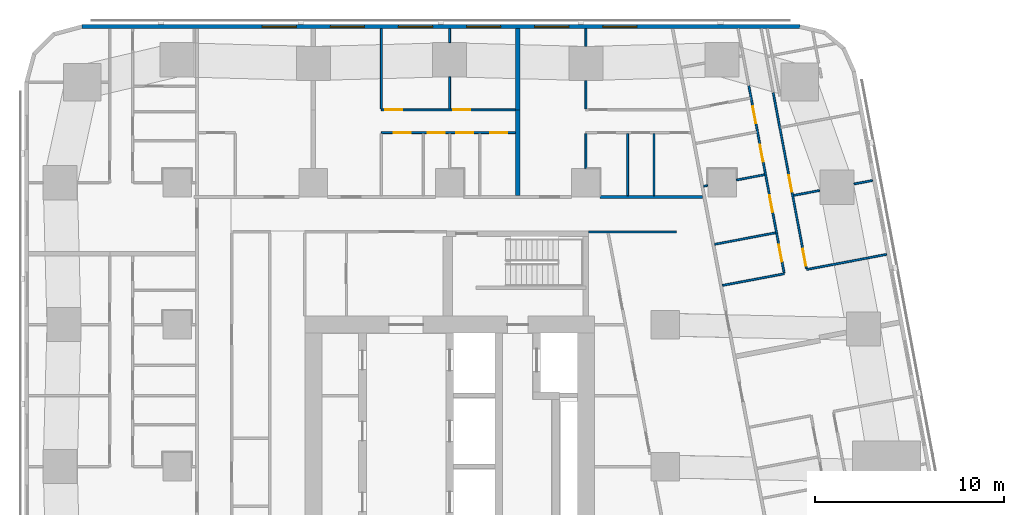
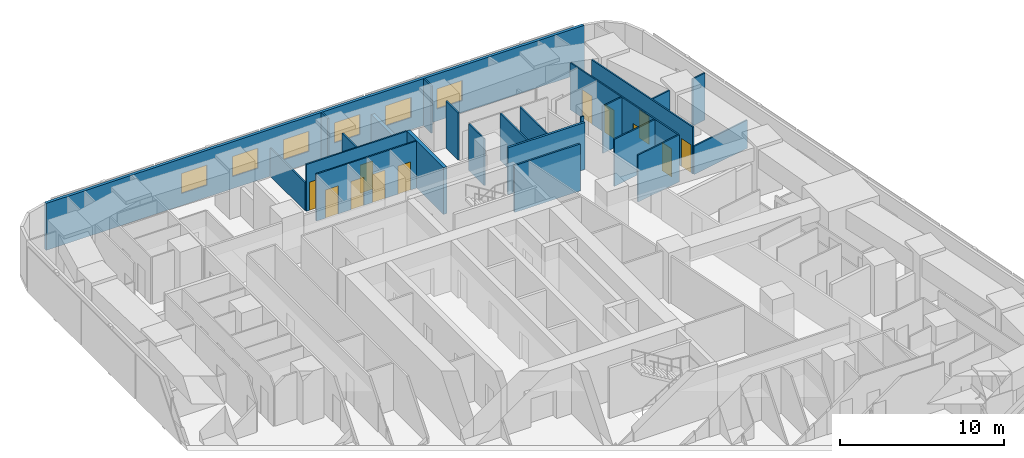
# One storey, part 10 of 15: 24 walls, 12 doors, 6 windows, 18 openings.
"""IFC4 building model written with IfcOpenShell, lengths in metres."""

from ifc_helpers import new_model, si_unit, direction, frame, frame_2d, origin, place, context, subcontext, project, spatial, rectangle, extrude, material, layer, layer_set, type_object, element, fill, save


model = new_model("IFC4")

# Units and contexts
model_context = context("Model", 3, precision=1e-05, world=origin(), true_north=direction((0.0, 1.0)))
body_context = subcontext(model_context, "Body", "Model", "MODEL_VIEW")
ifc_project = project(units=[si_unit("LENGTHUNIT", "METRE"), si_unit("AREAUNIT", "SQUARE_METRE"), si_unit("VOLUMEUNIT", "CUBIC_METRE"), si_unit("PLANEANGLEUNIT", "RADIAN"), si_unit("MASSUNIT", "GRAM", prefix="KILO")], contexts=[model_context])

# Site, building, storey
site_placement = place(None, origin())
site = spatial("IfcSite", under=ifc_project, at=site_placement, CompositionType="ELEMENT")
building_placement = place(site_placement, origin())
building = spatial("IfcBuilding", under=site, at=building_placement, Name="Sheger Commons Tower", CompositionType="ELEMENT")
storey_placement = place(building_placement, frame((0.0, 0.0, 154.550048828125)))
storey = spatial("IfcBuildingStorey", under=building, at=storey_placement, Name="L39", CompositionType="ELEMENT", Elevation=154.550048828125)

# Walls
ifc_material_1 = material(Name="Hollow concrete block masonry, skimmed both sides", Category="masonry")
ifc_layer_1 = layer(ifc_material_1, 0.14990234375)
ifc_layer_set_1 = layer_set([ifc_layer_1], Name="CORRIDOR WALL 150")
wall_type_1 = type_object("IfcWallType", Name="CORRIDOR WALL 150", PredefinedType="SOLIDWALL", material=ifc_layer_set_1)
wall_1_placement = place(storey_placement, frame((29.551025390625, 36.75, 0.0), z_axis=(0.0, 0.0, 1.0), x_axis=(1.0, 0.0, 0.0)))
element("IfcWall", 1, at=wall_1_placement, inside=storey, type_object=wall_type_1, Name="Corridor wall L39", PredefinedType="SOLIDWALL", context=body_context, shape_type="SweptSolid", body=[
    extrude(rectangle(XDim=5.421875, YDim=0.14990234375, at=frame_2d((2.7109375, 0.0))), origin(), (0.0, 0.0, 1.0), 3.5),
])
ifc_material_2 = material(Name="Dense concrete block masonry, plastered both sides (separating wall between flats)", Category="masonry")
ifc_layer_2 = layer(ifc_material_2, 0.25)
ifc_layer_set_2 = layer_set([ifc_layer_2], Name="DEMISING WALL 250")
wall_type_2 = type_object("IfcWallType", Name="DEMISING WALL 250", PredefinedType="SOLIDWALL", material=ifc_layer_set_2)
wall_2_placement = place(storey_placement, frame((25.199951171875, 41.35009765625, 0.0), z_axis=(0.0, 0.0, 1.0), x_axis=(0.0, 1.0, 0.0)))
element("IfcWall", 2, at=wall_2_placement, inside=storey, type_object=wall_type_2, Name="Demising wall L39", PredefinedType="SOLIDWALL", context=body_context, shape_type="SweptSolid", body=[
    extrude(rectangle(XDim=4.2998046875, YDim=0.25, at=frame_2d((2.14990234375, 0.0))), origin(), (0.0, 0.0, 1.0), 2.099853515625),
])
wall_3_placement = place(storey_placement, frame((25.199951171875, 36.824951171875, 0.0), z_axis=(0.0, 0.0, 1.0), x_axis=(0.0, 1.0, 0.0)))
element("IfcWall", 3, at=wall_3_placement, inside=storey, type_object=wall_type_2, Name="Demising wall L39", PredefinedType="SOLIDWALL", context=body_context, shape_type="SweptSolid", body=[
    extrude(rectangle(XDim=4.525146484375, YDim=0.25, at=frame_2d((2.2626953125, 0.0))), origin(), (0.0, 0.0, 1.0), 3.5),
])

# Wall, openings, windows
ifc_material_3 = material(Name="Rendered concrete block masonry, dark grey", Category="masonry")
ifc_layer_3 = layer(ifc_material_3, 0.199951171875)
ifc_layer_set_3 = layer_set([ifc_layer_3], Name="FACADE WALL 200")
wall_type_3 = type_object("IfcWallType", Name="FACADE WALL 200", PredefinedType="SOLIDWALL", material=ifc_layer_set_3)
wall_4_placement = place(storey_placement, frame((40.10595703125, 45.75, 0.0), z_axis=(0.0, 0.0, 1.0), x_axis=(-1.0, 0.0, 0.0)))
wall_4 = element("IfcWall", 4, at=wall_4_placement, inside=storey, type_object=wall_type_3, Name="Facade wall L39", PredefinedType="SOLIDWALL", context=body_context, shape_type="SweptSolid", body=[
    extrude(rectangle(XDim=37.94287109375, YDim=0.199951171875, at=frame_2d((18.971435546875, 0.0))), origin(), (0.0, 0.0, 1.0), 3.5),
])
opening_1_placement = place(wall_4_placement, frame((8.60595703125, 0.0, 0.89990234375)))
opening_1 = element("IfcOpeningElement", 5, at=opening_1_placement, cuts=wall_4, Name="Opening W2", PredefinedType="OPENING", context=body_context, shape_type="SweptSolid", body=[
    extrude(rectangle(XDim=1.800048828125, YDim=1.5, at=frame_2d((0.89990234375, 0.75))), frame((0.0, 0.10986328125, 0.0), z_axis=(0.0, -1.0, 0.0), x_axis=(1.0, 0.0, 0.0)), (0.0, 0.0, 1.0), 0.219970703125),
])
opening_2_placement = place(wall_4_placement, frame((12.2060546875, 0.0, 0.89990234375)))
opening_2 = element("IfcOpeningElement", 6, at=opening_2_placement, cuts=wall_4, Name="Opening W2", PredefinedType="OPENING", context=body_context, shape_type="SweptSolid", body=[
    extrude(rectangle(XDim=1.800048828125, YDim=1.5, at=frame_2d((0.89990234375, 0.75))), frame((0.0, 0.10986328125, 0.0), z_axis=(0.0, -1.0, 0.0), x_axis=(1.0, 0.0, 0.0)), (0.0, 0.0, 1.0), 0.219970703125),
])
opening_3_placement = place(wall_4_placement, frame((15.805908203125, 0.0, 0.89990234375)))
opening_3 = element("IfcOpeningElement", 7, at=opening_3_placement, cuts=wall_4, Name="Opening W2", PredefinedType="OPENING", context=body_context, shape_type="SweptSolid", body=[
    extrude(rectangle(XDim=1.800048828125, YDim=1.5, at=frame_2d((0.89990234375, 0.75))), frame((0.0, 0.10986328125, 0.0), z_axis=(0.0, -1.0, 0.0), x_axis=(1.0, 0.0, 0.0)), (0.0, 0.0, 1.0), 0.219970703125),
])
opening_4_placement = place(wall_4_placement, frame((19.406005859375, 0.0, 0.89990234375)))
opening_4 = element("IfcOpeningElement", 8, at=opening_4_placement, cuts=wall_4, Name="Opening W2", PredefinedType="OPENING", context=body_context, shape_type="SweptSolid", body=[
    extrude(rectangle(XDim=1.800048828125, YDim=1.5, at=frame_2d((0.89990234375, 0.75))), frame((0.0, 0.10986328125, 0.0), z_axis=(0.0, -1.0, 0.0), x_axis=(1.0, 0.0, 0.0)), (0.0, 0.0, 1.0), 0.219970703125),
])
opening_5_placement = place(wall_4_placement, frame((23.006103515625, 0.0, 0.89990234375)))
opening_5 = element("IfcOpeningElement", 9, at=opening_5_placement, cuts=wall_4, Name="Opening W2", PredefinedType="OPENING", context=body_context, shape_type="SweptSolid", body=[
    extrude(rectangle(XDim=1.800048828125, YDim=1.5, at=frame_2d((0.89990234375, 0.75))), frame((0.0, 0.10986328125, 0.0), z_axis=(0.0, -1.0, 0.0), x_axis=(1.0, 0.0, 0.0)), (0.0, 0.0, 1.0), 0.219970703125),
])
opening_6_placement = place(wall_4_placement, frame((26.60595703125, 0.0, 0.89990234375)))
opening_6 = element("IfcOpeningElement", 10, at=opening_6_placement, cuts=wall_4, Name="Opening W2", PredefinedType="OPENING", context=body_context, shape_type="SweptSolid", body=[
    extrude(rectangle(XDim=1.800048828125, YDim=1.5, at=frame_2d((0.89990234375, 0.75))), frame((0.0, 0.10986328125, 0.0), z_axis=(0.0, -1.0, 0.0), x_axis=(1.0, 0.0, 0.0)), (0.0, 0.0, 1.0), 0.219970703125),
])
ifc_material_4 = material(Name="Black aluminium frame, dark tinted double glazing", Category="aluminium")
window_type = type_object("IfcWindowType", Name="WINDOW W2 1800x1500", PartitioningType="SINGLE_PANEL", PredefinedType="WINDOW", material=ifc_material_4)
window_1_placement = place(opening_1_placement, origin())
window_1 = element("IfcWindow", 11, at=window_1_placement, inside=storey, type_object=window_type, Name="Window W2 1800X1500", OverallHeight=1.5, OverallWidth=1.800048828125, PartitioningType="SINGLE_PANEL", PredefinedType="WINDOW", context=body_context, shape_type="SweptSolid", body=[
    extrude(rectangle(XDim=1.800048828125, YDim=1.5, at=frame_2d((0.89990234375, 0.75))), frame((0.0, 0.030029296875, 0.0), z_axis=(0.0, -1.0, 0.0), x_axis=(1.0, 0.0, 0.0)), (0.0, 0.0, 1.0), 0.06005859375),
])
fill(opening_1, window_1)
window_2_placement = place(opening_2_placement, origin())
window_2 = element("IfcWindow", 12, at=window_2_placement, inside=storey, type_object=window_type, Name="Window W2 1800X1500", OverallHeight=1.5, OverallWidth=1.800048828125, PartitioningType="SINGLE_PANEL", PredefinedType="WINDOW", context=body_context, shape_type="SweptSolid", body=[
    extrude(rectangle(XDim=1.800048828125, YDim=1.5, at=frame_2d((0.89990234375, 0.75))), frame((0.0, 0.030029296875, 0.0), z_axis=(0.0, -1.0, 0.0), x_axis=(1.0, 0.0, 0.0)), (0.0, 0.0, 1.0), 0.06005859375),
])
fill(opening_2, window_2)
window_3_placement = place(opening_3_placement, origin())
window_3 = element("IfcWindow", 13, at=window_3_placement, inside=storey, type_object=window_type, Name="Window W2 1800X1500", OverallHeight=1.5, OverallWidth=1.800048828125, PartitioningType="SINGLE_PANEL", PredefinedType="WINDOW", context=body_context, shape_type="SweptSolid", body=[
    extrude(rectangle(XDim=1.800048828125, YDim=1.5, at=frame_2d((0.89990234375, 0.75))), frame((0.0, 0.030029296875, 0.0), z_axis=(0.0, -1.0, 0.0), x_axis=(1.0, 0.0, 0.0)), (0.0, 0.0, 1.0), 0.06005859375),
])
fill(opening_3, window_3)
window_4_placement = place(opening_4_placement, origin())
window_4 = element("IfcWindow", 14, at=window_4_placement, inside=storey, type_object=window_type, Name="Window W2 1800X1500", OverallHeight=1.5, OverallWidth=1.800048828125, PartitioningType="SINGLE_PANEL", PredefinedType="WINDOW", context=body_context, shape_type="SweptSolid", body=[
    extrude(rectangle(XDim=1.800048828125, YDim=1.5, at=frame_2d((0.89990234375, 0.75))), frame((0.0, 0.030029296875, 0.0), z_axis=(0.0, -1.0, 0.0), x_axis=(1.0, 0.0, 0.0)), (0.0, 0.0, 1.0), 0.06005859375),
])
fill(opening_4, window_4)
window_5_placement = place(opening_5_placement, origin())
window_5 = element("IfcWindow", 15, at=window_5_placement, inside=storey, type_object=window_type, Name="Window W2 1800X1500", OverallHeight=1.5, OverallWidth=1.800048828125, PartitioningType="SINGLE_PANEL", PredefinedType="WINDOW", context=body_context, shape_type="SweptSolid", body=[
    extrude(rectangle(XDim=1.800048828125, YDim=1.5, at=frame_2d((0.89990234375, 0.75))), frame((0.0, 0.030029296875, 0.0), z_axis=(0.0, -1.0, 0.0), x_axis=(1.0, 0.0, 0.0)), (0.0, 0.0, 1.0), 0.06005859375),
])
fill(opening_5, window_5)
window_6_placement = place(opening_6_placement, origin())
window_6 = element("IfcWindow", 16, at=window_6_placement, inside=storey, type_object=window_type, Name="Window W2 1800X1500", OverallHeight=1.5, OverallWidth=1.800048828125, PartitioningType="SINGLE_PANEL", PredefinedType="WINDOW", context=body_context, shape_type="SweptSolid", body=[
    extrude(rectangle(XDim=1.800048828125, YDim=1.5, at=frame_2d((0.89990234375, 0.75))), frame((0.0, 0.030029296875, 0.0), z_axis=(0.0, -1.0, 0.0), x_axis=(1.0, 0.0, 0.0)), (0.0, 0.0, 1.0), 0.06005859375),
])
fill(opening_6, window_6)

# Wall, openings, doors
ifc_material_5 = material(Name="Gypsum board on steel studs", Category="steel")
ifc_layer_4 = layer(ifc_material_5, 0.10009765625)
ifc_layer_set_4 = layer_set([ifc_layer_4], Name="PARTITION 100")
wall_type_4 = type_object("IfcWallType", Name="PARTITION 100", PredefinedType="PARTITIONING", material=ifc_layer_set_4)
wall_5_placement = place(storey_placement, frame((38.700927734375, 42.27001953125, 0.0), z_axis=(0.0, 0.0, 1.0), x_axis=(0.185634707842, -0.982618825, 0.0)))
wall_5 = element("IfcWall", 17, at=wall_5_placement, inside=storey, type_object=wall_type_4, Name="Partition L39", PredefinedType="PARTITIONING", context=body_context, shape_type="SweptSolid", body=[
    extrude(rectangle(XDim=9.470458984375, YDim=0.10009765625, at=frame_2d((4.7353515625, 0.0))), origin(), (0.0, 0.0, 1.0), 3.5),
])
opening_7_placement = place(wall_5_placement, frame((8.419921875, 0.0, 0.0)))
opening_7 = element("IfcOpeningElement", 18, at=opening_7_placement, cuts=wall_5, Name="Opening D2", PredefinedType="OPENING", context=body_context, shape_type="SweptSolid", body=[
    extrude(rectangle(XDim=0.89990234375, YDim=2.10009765625, at=frame_2d((0.449951171875, 1.050048828125))), frame((0.0, 0.06005859375, 0.0), z_axis=(0.0, -1.0, 0.0), x_axis=(1.0, 0.0, 0.0)), (0.0, 0.0, 1.0), 0.1201171875),
])
opening_8_placement = place(wall_5_placement, frame((4.444091796875, 0.0, 0.0)))
opening_8 = element("IfcOpeningElement", 19, at=opening_8_placement, cuts=wall_5, Name="Opening D2", PredefinedType="OPENING", context=body_context, shape_type="SweptSolid", body=[
    extrude(rectangle(XDim=0.89990234375, YDim=2.10009765625, at=frame_2d((0.449951171875, 1.050048828125))), frame((0.0, 0.06005859375, 0.0), z_axis=(0.0, -1.0, 0.0), x_axis=(1.0, 0.0, 0.0)), (0.0, 0.0, 1.0), 0.1201171875),
])
ifc_material_6 = material(Name="Timber door set", Category="wood")
door_type = type_object("IfcDoorType", Name="INTERNAL DOOR 900x2100", OperationType="NOTDEFINED", PredefinedType="DOOR", material=ifc_material_6)
door_1_placement = place(opening_7_placement, origin())
door_1 = element("IfcDoor", 20, at=door_1_placement, inside=storey, type_object=door_type, Name="Main bedroom door", OperationType="SINGLE_SWING_RIGHT", OverallHeight=2.10009765625, OverallWidth=0.89990234375, PredefinedType="DOOR", context=body_context, shape_type="SweptSolid", body=[
    extrude(rectangle(XDim=0.89990234375, YDim=2.10009765625, at=frame_2d((0.449951171875, 1.050048828125))), frame((0.0, 0.02490234375, 0.0), z_axis=(0.0, -1.0, 0.0), x_axis=(1.0, 0.0, 0.0)), (0.0, 0.0, 1.0), 0.050048828125),
])
fill(opening_7, door_1)
door_2_placement = place(opening_8_placement, origin())
door_2 = element("IfcDoor", 21, at=door_2_placement, inside=storey, type_object=door_type, Name="Bedroom 2 door", OperationType="SINGLE_SWING_RIGHT", OverallHeight=2.10009765625, OverallWidth=0.89990234375, PredefinedType="DOOR", context=body_context, shape_type="SweptSolid", body=[
    extrude(rectangle(XDim=0.89990234375, YDim=2.10009765625, at=frame_2d((0.449951171875, 1.050048828125))), frame((0.0, 0.02490234375, 0.0), z_axis=(0.0, -1.0, 0.0), x_axis=(1.0, 0.0, 0.0)), (0.0, 0.0, 1.0), 0.050048828125),
])
fill(opening_8, door_2)

wall_6_placement = place(storey_placement, frame((37.410888671875, 42.637939453125, 0.0), z_axis=(0.0, 0.0, 1.0), x_axis=(0.185485587071, -0.982646984928, 0.0)))
wall_6 = element("IfcWall", 22, at=wall_6_placement, inside=storey, type_object=wall_type_4, Name="Partition L39", PredefinedType="PARTITIONING", context=body_context, shape_type="SweptSolid", body=[
    extrude(rectangle(XDim=10.07177734375, YDim=0.10009765625, at=frame_2d((5.035888671875, 0.0))), origin(), (0.0, 0.0, 1.0), 3.5),
])
opening_9_placement = place(wall_6_placement, frame((8.56689453125, 0.0, 0.0)))
opening_9 = element("IfcOpeningElement", 23, at=opening_9_placement, cuts=wall_6, Name="Opening D2", PredefinedType="OPENING", context=body_context, shape_type="SweptSolid", body=[
    extrude(rectangle(XDim=0.89990234375, YDim=2.10009765625, at=frame_2d((0.449951171875, 1.050048828125))), frame((0.0, 0.06005859375, 0.0), z_axis=(0.0, -1.0, 0.0), x_axis=(1.0, 0.0, 0.0)), (0.0, 0.0, 1.0), 0.1201171875),
])
opening_10_placement = place(wall_6_placement, frame((3.18798828125, 0.0, 0.0)))
opening_10 = element("IfcOpeningElement", 24, at=opening_10_placement, cuts=wall_6, Name="Opening D2", PredefinedType="OPENING", context=body_context, shape_type="SweptSolid", body=[
    extrude(rectangle(XDim=0.89990234375, YDim=2.10009765625, at=frame_2d((0.449951171875, 1.050048828125))), frame((0.0, 0.06005859375, 0.0), z_axis=(0.0, -1.0, 0.0), x_axis=(1.0, 0.0, 0.0)), (0.0, 0.0, 1.0), 0.1201171875),
])
opening_11_placement = place(wall_6_placement, frame((1.12890625, 0.0, 0.0)))
opening_11 = element("IfcOpeningElement", 25, at=opening_11_placement, cuts=wall_6, Name="Opening D2", PredefinedType="OPENING", context=body_context, shape_type="SweptSolid", body=[
    extrude(rectangle(XDim=0.89990234375, YDim=2.10009765625, at=frame_2d((0.449951171875, 1.050048828125))), frame((0.0, 0.06005859375, 0.0), z_axis=(0.0, -1.0, 0.0), x_axis=(1.0, 0.0, 0.0)), (0.0, 0.0, 1.0), 0.1201171875),
])
opening_12_placement = place(wall_6_placement, frame((5.89892578125, 0.0, 0.0)))
opening_12 = element("IfcOpeningElement", 26, at=opening_12_placement, cuts=wall_6, Name="Opening D2", PredefinedType="OPENING", context=body_context, shape_type="SweptSolid", body=[
    extrude(rectangle(XDim=0.89990234375, YDim=2.10009765625, at=frame_2d((0.449951171875, 1.050048828125))), frame((0.0, 0.06005859375, 0.0), z_axis=(0.0, -1.0, 0.0), x_axis=(1.0, 0.0, 0.0)), (0.0, 0.0, 1.0), 0.1201171875),
])
door_3_placement = place(opening_9_placement, origin())
door_3 = element("IfcDoor", 27, at=door_3_placement, inside=storey, type_object=door_type, Name="Bathroom door", OperationType="SINGLE_SWING_LEFT", OverallHeight=2.10009765625, OverallWidth=0.89990234375, PredefinedType="DOOR", context=body_context, shape_type="SweptSolid", body=[
    extrude(rectangle(XDim=0.89990234375, YDim=2.10009765625, at=frame_2d((0.449951171875, 1.050048828125))), frame((0.0, 0.02490234375, 0.0), z_axis=(0.0, -1.0, 0.0), x_axis=(1.0, 0.0, 0.0)), (0.0, 0.0, 1.0), 0.050048828125),
])
fill(opening_9, door_3)
door_4_placement = place(opening_10_placement, origin())
door_4 = element("IfcDoor", 28, at=door_4_placement, inside=storey, type_object=door_type, Name="Laundry room door", OperationType="SINGLE_SWING_LEFT", OverallHeight=2.10009765625, OverallWidth=0.89990234375, PredefinedType="DOOR", context=body_context, shape_type="SweptSolid", body=[
    extrude(rectangle(XDim=0.89990234375, YDim=2.10009765625, at=frame_2d((0.449951171875, 1.050048828125))), frame((0.0, 0.02490234375, 0.0), z_axis=(0.0, -1.0, 0.0), x_axis=(1.0, 0.0, 0.0)), (0.0, 0.0, 1.0), 0.050048828125),
])
fill(opening_10, door_4)
door_5_placement = place(opening_11_placement, origin())
door_5 = element("IfcDoor", 29, at=door_5_placement, inside=storey, type_object=door_type, Name="Laundry room door", OperationType="SINGLE_SWING_LEFT", OverallHeight=2.10009765625, OverallWidth=0.89990234375, PredefinedType="DOOR", context=body_context, shape_type="SweptSolid", body=[
    extrude(rectangle(XDim=0.89990234375, YDim=2.10009765625, at=frame_2d((0.449951171875, 1.050048828125))), frame((0.0, 0.02490234375, 0.0), z_axis=(0.0, -1.0, 0.0), x_axis=(1.0, 0.0, 0.0)), (0.0, 0.0, 1.0), 0.050048828125),
])
fill(opening_11, door_5)
door_6_placement = place(opening_12_placement, origin())
door_6 = element("IfcDoor", 30, at=door_6_placement, inside=storey, type_object=door_type, Name="Store door", OperationType="SINGLE_SWING_RIGHT", OverallHeight=2.10009765625, OverallWidth=0.89990234375, PredefinedType="DOOR", context=body_context, shape_type="SweptSolid", body=[
    extrude(rectangle(XDim=0.89990234375, YDim=2.10009765625, at=frame_2d((0.449951171875, 1.050048828125))), frame((0.0, 0.02490234375, 0.0), z_axis=(0.0, -1.0, 0.0), x_axis=(1.0, 0.0, 0.0)), (0.0, 0.0, 1.0), 0.050048828125),
])
fill(opening_12, door_6)

# Walls
wall_7_placement = place(storey_placement, frame((43.955078125, 37.6201171875, 0.0), z_axis=(0.0, 0.0, 1.0), x_axis=(-0.982666697719, -0.185381124159, 0.0)))
element("IfcWall", 31, at=wall_7_placement, inside=storey, type_object=wall_type_4, Name="Partition L39", PredefinedType="PARTITIONING", context=body_context, shape_type="SweptSolid", body=[
    extrude(rectangle(XDim=0.998291015625, YDim=0.10009765625, at=frame_2d((0.4990234375, 0.0))), origin(), (0.0, 0.0, 1.0), 3.5),
])
wall_8_placement = place(storey_placement, frame((41.154052734375, 37.091064453125, 0.0), z_axis=(0.0, 0.0, 1.0), x_axis=(-0.982586605669, -0.185805173125, 0.0)))
element("IfcWall", 32, at=wall_8_placement, inside=storey, type_object=wall_type_4, Name="Partition L39", PredefinedType="PARTITIONING", context=body_context, shape_type="SweptSolid", body=[
    extrude(rectangle(XDim=1.3994140625, YDim=0.10009765625, at=frame_2d((0.69970703125, 0.0))), origin(), (0.0, 0.0, 1.0), 3.5),
])
wall_9_placement = place(storey_placement, frame((44.693115234375, 33.712890625, 0.0), z_axis=(0.0, 0.0, 1.0), x_axis=(-0.982633535512, -0.185556823879, 0.0)))
element("IfcWall", 33, at=wall_9_placement, inside=storey, type_object=wall_type_4, Name="Partition L39", PredefinedType="PARTITIONING", context=body_context, shape_type="SweptSolid", body=[
    extrude(rectangle(XDim=4.2998046875, YDim=0.10009765625, at=frame_2d((2.14990234375, 0.0))), origin(), (0.0, 0.0, 1.0), 2.099853515625),
])
wall_10_placement = place(storey_placement, frame((38.25, 37.925048828125, 0.0), z_axis=(0.0, 0.0, 1.0), x_axis=(-0.982676595259, -0.18532865167, 0.0)))
element("IfcWall", 34, at=wall_10_placement, inside=storey, type_object=wall_type_4, Name="Partition L39", PredefinedType="PARTITIONING", context=body_context, shape_type="SweptSolid", body=[
    extrude(rectangle(XDim=1.516357421875, YDim=0.10009765625, at=frame_2d((0.75830078125, 0.0))), origin(), (0.0, 0.0, 1.0), 3.5),
])
wall_11_placement = place(storey_placement, frame((35.239990234375, 37.35595703125, 0.0), z_axis=(0.0, 0.0, 1.0), x_axis=(-0.982819911474, -0.184567119526, 0.0)))
element("IfcWall", 35, at=wall_11_placement, inside=storey, type_object=wall_type_4, Name="Partition L39", PredefinedType="PARTITIONING", context=body_context, shape_type="SweptSolid", body=[
    extrude(rectangle(XDim=0.211669921875, YDim=0.10009765625, at=frame_2d((0.10595703125, 0.0))), origin(), (0.0, 0.0, 1.0), 3.5),
])
wall_12_placement = place(storey_placement, frame((39.2890625, 32.69189453125, 0.0), z_axis=(0.0, 0.0, 1.0), x_axis=(-0.982633623707, -0.185556356831, 0.0)))
element("IfcWall", 36, at=wall_12_placement, inside=storey, type_object=wall_type_4, Name="Partition L39", PredefinedType="PARTITIONING", context=body_context, shape_type="SweptSolid", body=[
    extrude(rectangle(XDim=3.324951171875, YDim=0.10009765625, at=frame_2d((1.66259765625, 0.0))), origin(), (0.0, 0.0, 1.0), 3.5),
])
wall_13_placement = place(storey_placement, frame((38.8291015625, 34.85498046875, 0.0), z_axis=(0.0, 0.0, 1.0), x_axis=(-0.982610347627, -0.185679575441, 0.0)))
element("IfcWall", 37, at=wall_13_placement, inside=storey, type_object=wall_type_4, Name="Partition L39", PredefinedType="PARTITIONING", context=body_context, shape_type="SweptSolid", body=[
    extrude(rectangle(XDim=3.27392578125, YDim=0.10009765625, at=frame_2d((1.636962890625, 0.0))), origin(), (0.0, 0.0, 1.0), 3.5),
])

# Wall, openings, doors
wall_14_placement = place(storey_placement, frame((18.0, 41.35009765625, 0.0), z_axis=(0.0, 0.0, 1.0), x_axis=(1.0, 0.0, 0.0)))
wall_14 = element("IfcWall", 38, at=wall_14_placement, inside=storey, type_object=wall_type_4, Name="Partition L39", PredefinedType="PARTITIONING", context=body_context, shape_type="SweptSolid", body=[
    extrude(rectangle(XDim=7.074951171875, YDim=0.10009765625, at=frame_2d((3.53759765625, 0.0))), origin(), (0.0, 0.0, 1.0), 3.5),
])
opening_13_placement = place(wall_14_placement, frame((0.199951171875, 0.0, 0.0)))
opening_13 = element("IfcOpeningElement", 39, at=opening_13_placement, cuts=wall_14, Name="Opening D2", PredefinedType="OPENING", context=body_context, shape_type="SweptSolid", body=[
    extrude(rectangle(XDim=0.89990234375, YDim=2.10009765625, at=frame_2d((0.449951171875, 1.050048828125))), frame((0.0, 0.06005859375, 0.0), z_axis=(0.0, -1.0, 0.0), x_axis=(1.0, 0.0, 0.0)), (0.0, 0.0, 1.0), 0.1201171875),
])
opening_14_placement = place(wall_14_placement, frame((3.800048828125, 0.0, 0.0)))
opening_14 = element("IfcOpeningElement", 40, at=opening_14_placement, cuts=wall_14, Name="Opening D2", PredefinedType="OPENING", context=body_context, shape_type="SweptSolid", body=[
    extrude(rectangle(XDim=0.89990234375, YDim=2.10009765625, at=frame_2d((0.449951171875, 1.050048828125))), frame((0.0, 0.06005859375, 0.0), z_axis=(0.0, -1.0, 0.0), x_axis=(1.0, 0.0, 0.0)), (0.0, 0.0, 1.0), 0.1201171875),
])
door_7_placement = place(opening_13_placement, origin())
door_7 = element("IfcDoor", 41, at=door_7_placement, inside=storey, type_object=door_type, Name="Main bedroom door", OperationType="SINGLE_SWING_LEFT", OverallHeight=2.10009765625, OverallWidth=0.89990234375, PredefinedType="DOOR", context=body_context, shape_type="SweptSolid", body=[
    extrude(rectangle(XDim=0.89990234375, YDim=2.10009765625, at=frame_2d((0.449951171875, 1.050048828125))), frame((0.0, 0.02490234375, 0.0), z_axis=(0.0, -1.0, 0.0), x_axis=(1.0, 0.0, 0.0)), (0.0, 0.0, 1.0), 0.050048828125),
])
fill(opening_13, door_7)
door_8_placement = place(opening_14_placement, origin())
door_8 = element("IfcDoor", 42, at=door_8_placement, inside=storey, type_object=door_type, Name="Bedroom 2 door", OperationType="SINGLE_SWING_LEFT", OverallHeight=2.10009765625, OverallWidth=0.89990234375, PredefinedType="DOOR", context=body_context, shape_type="SweptSolid", body=[
    extrude(rectangle(XDim=0.89990234375, YDim=2.10009765625, at=frame_2d((0.449951171875, 1.050048828125))), frame((0.0, 0.02490234375, 0.0), z_axis=(0.0, -1.0, 0.0), x_axis=(1.0, 0.0, 0.0)), (0.0, 0.0, 1.0), 0.050048828125),
])
fill(opening_14, door_8)

wall_15_placement = place(storey_placement, frame((18.0, 40.14990234375, 0.0), z_axis=(0.0, 0.0, 1.0), x_axis=(1.0, 0.0, 0.0)))
wall_15 = element("IfcWall", 43, at=wall_15_placement, inside=storey, type_object=wall_type_4, Name="Partition L39", PredefinedType="PARTITIONING", context=body_context, shape_type="SweptSolid", body=[
    extrude(rectangle(XDim=7.074951171875, YDim=0.10009765625, at=frame_2d((3.53759765625, 0.0))), origin(), (0.0, 0.0, 1.0), 3.5),
])
opening_15_placement = place(wall_15_placement, frame((0.655029296875, 0.0, 0.0)))
opening_15 = element("IfcOpeningElement", 44, at=opening_15_placement, cuts=wall_15, Name="Opening D2", PredefinedType="OPENING", context=body_context, shape_type="SweptSolid", body=[
    extrude(rectangle(XDim=0.89990234375, YDim=2.10009765625, at=frame_2d((0.449951171875, 1.050048828125))), frame((0.0, 0.06005859375, 0.0), z_axis=(0.0, -1.0, 0.0), x_axis=(1.0, 0.0, 0.0)), (0.0, 0.0, 1.0), 0.1201171875),
])
opening_16_placement = place(wall_15_placement, frame((3.949951171875, 0.0, 0.0)))
opening_16 = element("IfcOpeningElement", 45, at=opening_16_placement, cuts=wall_15, Name="Opening D2", PredefinedType="OPENING", context=body_context, shape_type="SweptSolid", body=[
    extrude(rectangle(XDim=0.89990234375, YDim=2.10009765625, at=frame_2d((0.449951171875, 1.050048828125))), frame((0.0, 0.06005859375, 0.0), z_axis=(0.0, -1.0, 0.0), x_axis=(1.0, 0.0, 0.0)), (0.0, 0.0, 1.0), 0.1201171875),
])
opening_17_placement = place(wall_15_placement, frame((2.455078125, 0.0, 0.0)))
opening_17 = element("IfcOpeningElement", 46, at=opening_17_placement, cuts=wall_15, Name="Opening D2", PredefinedType="OPENING", context=body_context, shape_type="SweptSolid", body=[
    extrude(rectangle(XDim=0.89990234375, YDim=2.10009765625, at=frame_2d((0.449951171875, 1.050048828125))), frame((0.0, 0.06005859375, 0.0), z_axis=(0.0, -1.0, 0.0), x_axis=(1.0, 0.0, 0.0)), (0.0, 0.0, 1.0), 0.1201171875),
])
opening_18_placement = place(wall_15_placement, frame((5.75, 0.0, 0.0)))
opening_18 = element("IfcOpeningElement", 47, at=opening_18_placement, cuts=wall_15, Name="Opening D2", PredefinedType="OPENING", context=body_context, shape_type="SweptSolid", body=[
    extrude(rectangle(XDim=0.89990234375, YDim=2.10009765625, at=frame_2d((0.449951171875, 1.050048828125))), frame((0.0, 0.06005859375, 0.0), z_axis=(0.0, -1.0, 0.0), x_axis=(1.0, 0.0, 0.0)), (0.0, 0.0, 1.0), 0.1201171875),
])
door_9_placement = place(opening_15_placement, origin())
door_9 = element("IfcDoor", 48, at=door_9_placement, inside=storey, type_object=door_type, Name="Bathroom door", OperationType="SINGLE_SWING_RIGHT", OverallHeight=2.10009765625, OverallWidth=0.89990234375, PredefinedType="DOOR", context=body_context, shape_type="SweptSolid", body=[
    extrude(rectangle(XDim=0.89990234375, YDim=2.10009765625, at=frame_2d((0.449951171875, 1.050048828125))), frame((0.0, 0.02490234375, 0.0), z_axis=(0.0, -1.0, 0.0), x_axis=(1.0, 0.0, 0.0)), (0.0, 0.0, 1.0), 0.050048828125),
])
fill(opening_15, door_9)
door_10_placement = place(opening_16_placement, origin())
door_10 = element("IfcDoor", 49, at=door_10_placement, inside=storey, type_object=door_type, Name="Shower room door", OperationType="SINGLE_SWING_LEFT", OverallHeight=2.10009765625, OverallWidth=0.89990234375, PredefinedType="DOOR", context=body_context, shape_type="SweptSolid", body=[
    extrude(rectangle(XDim=0.89990234375, YDim=2.10009765625, at=frame_2d((0.449951171875, 1.050048828125))), frame((0.0, 0.02490234375, 0.0), z_axis=(0.0, -1.0, 0.0), x_axis=(1.0, 0.0, 0.0)), (0.0, 0.0, 1.0), 0.050048828125),
])
fill(opening_16, door_10)
door_11_placement = place(opening_17_placement, origin())
door_11 = element("IfcDoor", 50, at=door_11_placement, inside=storey, type_object=door_type, Name="Store door", OperationType="SINGLE_SWING_LEFT", OverallHeight=2.10009765625, OverallWidth=0.89990234375, PredefinedType="DOOR", context=body_context, shape_type="SweptSolid", body=[
    extrude(rectangle(XDim=0.89990234375, YDim=2.10009765625, at=frame_2d((0.449951171875, 1.050048828125))), frame((0.0, 0.02490234375, 0.0), z_axis=(0.0, -1.0, 0.0), x_axis=(1.0, 0.0, 0.0)), (0.0, 0.0, 1.0), 0.050048828125),
])
fill(opening_17, door_11)
door_12_placement = place(opening_18_placement, origin())
door_12 = element("IfcDoor", 51, at=door_12_placement, inside=storey, type_object=door_type, Name="Store door", OperationType="SINGLE_SWING_LEFT", OverallHeight=2.10009765625, OverallWidth=0.89990234375, PredefinedType="DOOR", context=body_context, shape_type="SweptSolid", body=[
    extrude(rectangle(XDim=0.89990234375, YDim=2.10009765625, at=frame_2d((0.449951171875, 1.050048828125))), frame((0.0, 0.02490234375, 0.0), z_axis=(0.0, -1.0, 0.0), x_axis=(1.0, 0.0, 0.0)), (0.0, 0.0, 1.0), 0.050048828125),
])
fill(opening_18, door_12)

# Walls
wall_16_placement = place(storey_placement, frame((18.0, 41.39990234375, 0.0), z_axis=(0.0, 0.0, 1.0), x_axis=(0.0, 1.0, 0.0)))
element("IfcWall", 52, at=wall_16_placement, inside=storey, type_object=wall_type_4, Name="Partition L39", PredefinedType="PARTITIONING", context=body_context, shape_type="SweptSolid", body=[
    extrude(rectangle(XDim=4.25, YDim=0.10009765625, at=frame_2d((2.125, 0.0))), origin(), (0.0, 0.0, 1.0), 2.099853515625),
])
wall_17_placement = place(storey_placement, frame((21.60009765625, 41.39990234375, 0.0), z_axis=(0.0, 0.0, 1.0), x_axis=(0.0, 1.0, 0.0)))
element("IfcWall", 53, at=wall_17_placement, inside=storey, type_object=wall_type_4, Name="Partition L39", PredefinedType="PARTITIONING", context=body_context, shape_type="SweptSolid", body=[
    extrude(rectangle(XDim=1.69921875, YDim=0.10009765625, at=frame_2d((0.849609375, 0.0))), origin(), (0.0, 0.0, 1.0), 3.5),
])
wall_18_placement = place(storey_placement, frame((21.60009765625, 44.90087890625, 0.0), z_axis=(0.0, 0.0, 1.0), x_axis=(0.0, 1.0, 0.0)))
element("IfcWall", 54, at=wall_18_placement, inside=storey, type_object=wall_type_4, Name="Partition L39", PredefinedType="PARTITIONING", context=body_context, shape_type="SweptSolid", body=[
    extrude(rectangle(XDim=0.7490234375, YDim=0.10009765625, at=frame_2d((0.37451171875, 0.0))), origin(), (0.0, 0.0, 1.0), 3.5),
])
wall_19_placement = place(storey_placement, frame((28.800048828125, 41.39990234375, 0.0), z_axis=(0.0, 0.0, 1.0), x_axis=(0.0, 1.0, 0.0)))
element("IfcWall", 55, at=wall_19_placement, inside=storey, type_object=wall_type_4, Name="Partition L39", PredefinedType="PARTITIONING", context=body_context, shape_type="SweptSolid", body=[
    extrude(rectangle(XDim=1.4990234375, YDim=0.10009765625, at=frame_2d((0.74951171875, 0.0))), origin(), (0.0, 0.0, 1.0), 3.5),
])
wall_20_placement = place(storey_placement, frame((28.800048828125, 44.700927734375, 0.0), z_axis=(0.0, 0.0, 1.0), x_axis=(0.0, 1.0, 0.0)))
element("IfcWall", 56, at=wall_20_placement, inside=storey, type_object=wall_type_4, Name="Partition L39", PredefinedType="PARTITIONING", context=body_context, shape_type="SweptSolid", body=[
    extrude(rectangle(XDim=0.948974609375, YDim=0.10009765625, at=frame_2d((0.474609375, 0.0))), origin(), (0.0, 0.0, 1.0), 3.5),
])
wall_21_placement = place(storey_placement, frame((28.800048828125, 38.2509765625, 0.0), z_axis=(0.0, 0.0, 1.0), x_axis=(0.0, 1.0, 0.0)))
element("IfcWall", 57, at=wall_21_placement, inside=storey, type_object=wall_type_4, Name="Partition L39", PredefinedType="PARTITIONING", context=body_context, shape_type="SweptSolid", body=[
    extrude(rectangle(XDim=1.84912109375, YDim=0.10009765625, at=frame_2d((0.924560546875, 0.0))), origin(), (0.0, 0.0, 1.0), 3.5),
])
for number, where, z_axis, x_axis, name in (
    (58, (32.39990234375, 36.824951171875, 0.0), (0.0, 0.0, 1.0), (0.0, 1.0, 0.0), "Partition L39"),
    (59, (31.010009765625, 36.824951171875, 0.0), (0.0, 0.0, 1.0), (0.0, 1.0, 0.0), "Partition L39"),
):
    element("IfcWall", number, at=place(storey_placement, frame(where, z_axis=z_axis, x_axis=x_axis)), inside=storey, type_object=wall_type_4, Name=name, PredefinedType="PARTITIONING", context=body_context, shape_type="SweptSolid", body=[
        extrude(rectangle(XDim=3.275146484375, YDim=0.10009765625, at=frame_2d((1.6376953125, 0.0))), origin(), (0.0, 0.0, 1.0), 3.5),
    ])
ifc_material_7 = material(Name="Gypsum board on steel studs, two layers each side, fire rated", Category="steel")
ifc_layer_5 = layer(ifc_material_7, 0.125)
ifc_layer_set_5 = layer_set([ifc_layer_5], Name="SERVICE WALL 125")
wall_type_5 = type_object("IfcWallType", Name="SERVICE WALL 125", PredefinedType="PARTITIONING", material=ifc_layer_set_5)
wall_22_placement = place(storey_placement, frame((28.949951171875, 34.89990234375, 0.0), z_axis=(0.0, 0.0, 1.0), x_axis=(1.0, 0.0, 0.0)))
element("IfcWall", 60, at=wall_22_placement, inside=storey, type_object=wall_type_5, Name="Service room wall L39", PredefinedType="PARTITIONING", context=body_context, shape_type="SweptSolid", body=[
    extrude(rectangle(XDim=4.630126953125, YDim=0.125, at=frame_2d((2.31494140625, 0.0))), origin(), (0.0, 0.0, 1.0), 3.5),
])

save(model, "model.ifc")
